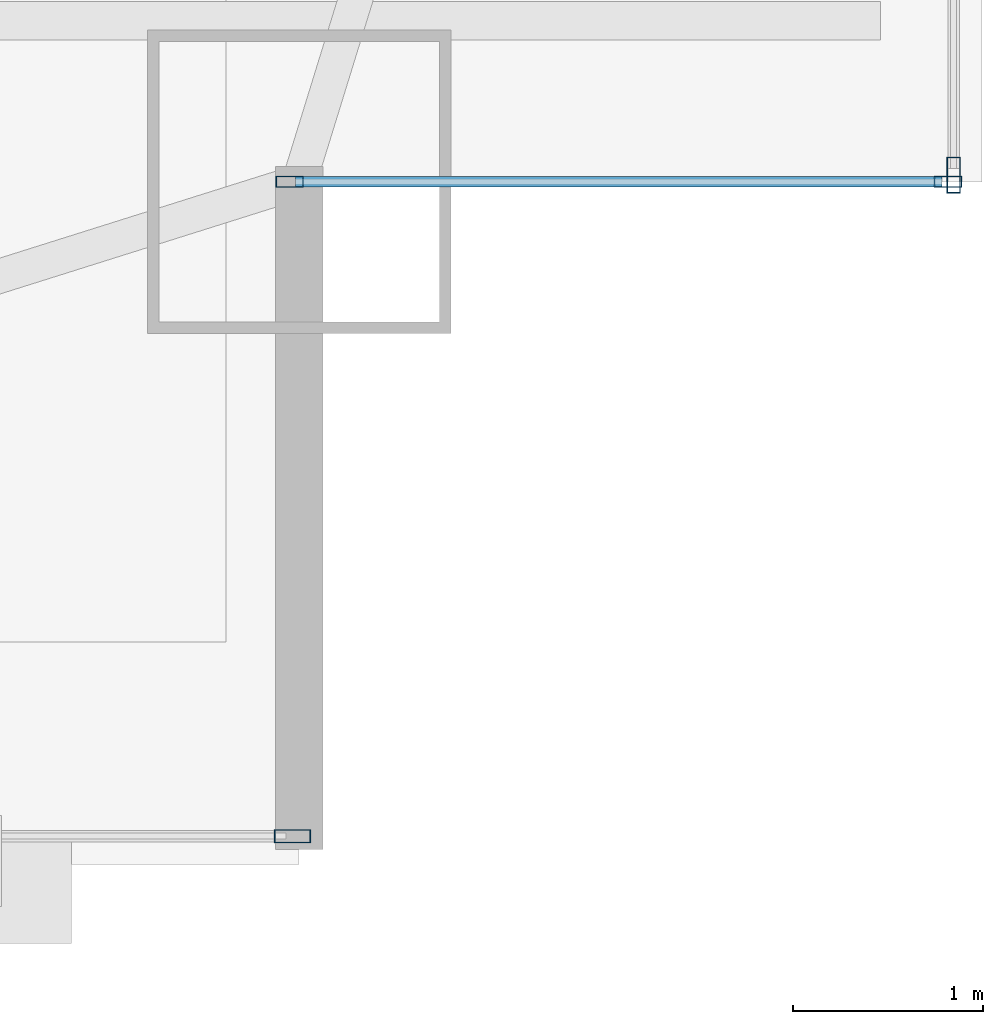
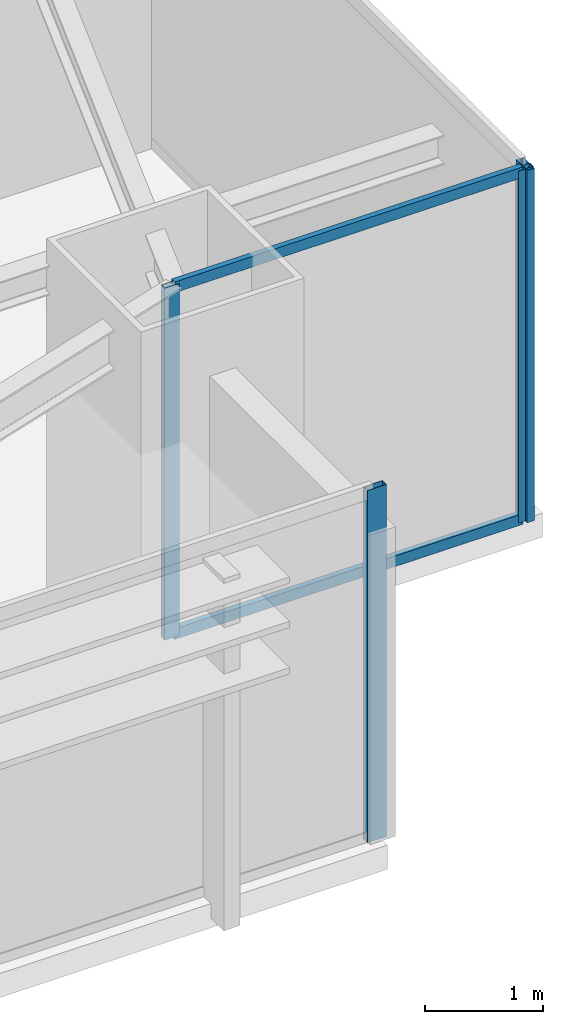
# One storey, part 14 of 29: 6 members, 3 elements without a shape of their own.
"""IFC4 building model written with IfcOpenShell, lengths in metres."""

from ifc_helpers import new_model, si_unit, direction, frame, origin, origin_2d, place, context, subcontext, project, spatial, hollow_rectangle, extrude, source, transform, mapped, material, layer, layer_set, material_profile, profile_set, type_object, type_shapes, element, aggregate, save


model = new_model("IFC4")

# Units and contexts
model_context = context("Model", 3, precision=1e-05, world=origin(), true_north=direction((0.0, 1.0)))
body_context = subcontext(model_context, "Body", "Model", "MODEL_VIEW")
ifc_project = project(units=[si_unit("LENGTHUNIT", "METRE"), si_unit("AREAUNIT", "SQUARE_METRE"), si_unit("VOLUMEUNIT", "CUBIC_METRE"), si_unit("PLANEANGLEUNIT", "RADIAN"), si_unit("MASSUNIT", "GRAM", prefix="KILO")], contexts=[model_context])

# Site, building, storey
site_placement = place(None, origin())
site = spatial("IfcSite", under=ifc_project, at=site_placement, CompositionType="ELEMENT")
building_placement = place(site_placement, origin())
building = spatial("IfcBuilding", under=site, at=building_placement, Name="Varnel Quay Broadcast Tower", CompositionType="ELEMENT")
storey_placement = place(building_placement, frame((0.0, 0.0, 74.39990234375)))
storey = spatial("IfcBuildingStorey", under=building, at=storey_placement, Name="L17", CompositionType="ELEMENT", Elevation=74.39990234375)

# Curtain wall, members
ifc_material = material(Name="Anodised Bronze Aluminium 6063-T6", Category="aluminium")
ifc_layer_1 = layer(ifc_material, 0.18994140625, Name="Anodised Bronze Aluminium 6063-T6")
ifc_layer_set_1 = layer_set([ifc_layer_1], Name="Anodised Bronze Aluminium 6063-T6")
curtain_wall_type_1 = type_object("IfcCurtainWallType", Name="CW_NotchCorner", PredefinedType="NOTDEFINED", material=ifc_layer_set_1)
curtain_wall_1_placement = place(storey_placement, origin())
curtain_wall_1 = element("IfcCurtainWall", 1, at=curtain_wall_1_placement, inside=storey, type_object=curtain_wall_type_1, Name="L17 SE Notch Curtain Wall", PredefinedType="NOTDEFINED")
ifc_material_profile_1 = material_profile(ifc_material, hollow_rectangle(XDim=0.054931640625, YDim=0.110107421875, WallThickness=0.0029296875, at=origin_2d()), Name="ALU55X110X3")
ifc_profile_set_1 = profile_set([ifc_material_profile_1], Name="Anodised Bronze Aluminium 6063-T6")
member_type_1 = type_object("IfcMemberType", Name="Tran_CWS-04", PredefinedType="USERDEFINED", material=ifc_profile_set_1)
shared_shape_1 = source(origin(), body_context, "Body", "SweptSolid", [
    extrude(hollow_rectangle(XDim=0.054931640625, YDim=0.110107421875, WallThickness=0.0029296875, at=origin_2d()), origin(), (0.0, 0.0, 1.0), 3.41015625),
])
type_shapes(member_type_1, [shared_shape_1])
member_1_placement = place(storey_placement, frame((62.3798828125, 4.800048828125, 0.027587890625), z_axis=(1.0, 0.0, 0.0), x_axis=(0.0, 1.0, 0.0)))
member_1 = element("IfcMember", 2, at=member_1_placement, type_object=member_type_1, Name="CWS-04 transom 1.1", ObjectType="TRANSOM", PredefinedType="USERDEFINED", context=body_context, shape_type="MappedRepresentation", body=[
    mapped(shared_shape_1, transform((0.0, 0.0, 0.0), x_axis=(1.0, 0.0, 0.0), y_axis=(0.0, 1.0, 0.0), z_axis=(0.0, 0.0, 1.0), scale=1.0)),
])
member_2_placement = place(storey_placement, frame((62.3798828125, 4.800048828125, 3.62255859375), z_axis=(1.0, 0.0, 0.0), x_axis=(0.0, 1.0, 0.0)))
member_2 = element("IfcMember", 3, at=member_2_placement, type_object=member_type_1, Name="CWS-04 transom 1.2", ObjectType="TRANSOM", PredefinedType="USERDEFINED", context=body_context, shape_type="MappedRepresentation", body=[
    mapped(shared_shape_1, transform((0.0, 0.0, 0.0), x_axis=(1.0, 0.0, 0.0), y_axis=(0.0, 1.0, 0.0), z_axis=(0.0, 0.0, 1.0), scale=1.0)),
])

# Curtain wall, member
ifc_layer_2 = layer(ifc_material, 0.18994140625, Name="Anodised Bronze Aluminium 6063-T6")
ifc_layer_set_2 = layer_set([ifc_layer_2], Name="Anodised Bronze Aluminium 6063-T6")
curtain_wall_type_2 = type_object("IfcCurtainWallType", Name="CW_LowerTower", PredefinedType="NOTDEFINED", material=ifc_layer_set_2)
curtain_wall_2_placement = place(storey_placement, origin())
curtain_wall_2 = element("IfcCurtainWall", 4, at=curtain_wall_2_placement, inside=storey, type_object=curtain_wall_type_2, Name="L17 South Unitised Curtain Wall 3", PredefinedType="NOTDEFINED")
ifc_material_profile_2 = material_profile(ifc_material, hollow_rectangle(XDim=0.070068359375, YDim=0.18994140625, WallThickness=0.00390625, at=origin_2d()), Name="ALU70X190X4")
ifc_profile_set_2 = profile_set([ifc_material_profile_2], Name="Anodised Bronze Aluminium 6063-T6")
member_type_2 = type_object("IfcMemberType", Name="Mull_CWS-02", PredefinedType="MULLION", material=ifc_profile_set_2)
shared_shape_2 = source(origin(), body_context, "Body", "SweptSolid", [
    extrude(hollow_rectangle(XDim=0.070068359375, YDim=0.18994140625, WallThickness=0.00390625, at=origin_2d()), origin(), (0.0, 0.0, 1.0), 3.650146484375),
])
type_shapes(member_type_2, [shared_shape_2])
member_3_placement = place(storey_placement, frame((62.364990234375, 1.35009765625, 0.0), z_axis=(0.0, 0.0, 1.0), x_axis=(0.0, 1.0, 0.0)))
member_3 = element("IfcMember", 5, at=member_3_placement, type_object=member_type_2, Name="CWS-02 mullion 2", PredefinedType="MULLION", context=body_context, shape_type="MappedRepresentation", body=[
    mapped(shared_shape_2, transform((0.0, 0.0, 0.0), x_axis=(1.0, 0.0, 0.0), y_axis=(0.0, 1.0, 0.0), z_axis=(0.0, 0.0, 1.0), scale=1.0)),
])
aggregate(curtain_wall_2, [member_3])

curtain_wall_3_placement = place(storey_placement, origin())
curtain_wall_3 = element("IfcCurtainWall", 6, at=curtain_wall_3_placement, inside=storey, type_object=curtain_wall_type_2, Name="L17 East Unitised Curtain Wall", PredefinedType="NOTDEFINED")
member_4_placement = place(storey_placement, frame((65.85009765625, 4.8349609375, 0.0), z_axis=(0.0, 0.0, 1.0), x_axis=(-1.0, 0.0, 0.0)))
member_4 = element("IfcMember", 7, at=member_4_placement, type_object=member_type_2, Name="CWS-02 mullion 1", PredefinedType="MULLION", context=body_context, shape_type="MappedRepresentation", body=[
    mapped(shared_shape_2, transform((0.0, 0.0, 0.0), x_axis=(1.0, 0.0, 0.0), y_axis=(0.0, 1.0, 0.0), z_axis=(0.0, 0.0, 1.0), scale=1.0)),
])
aggregate(curtain_wall_3, [member_4])

# Member
ifc_material_profile_3 = material_profile(ifc_material, hollow_rectangle(XDim=0.06005859375, YDim=0.14501953125, WallThickness=0.00341796875, at=origin_2d()), Name="ALU60X145X3.5")
ifc_profile_set_3 = profile_set([ifc_material_profile_3], Name="Anodised Bronze Aluminium 6063-T6")
member_type_3 = type_object("IfcMemberType", Name="Mull_CWS-04", PredefinedType="MULLION", material=ifc_profile_set_3)
shared_shape_3 = source(origin(), body_context, "Body", "SweptSolid", [
    extrude(hollow_rectangle(XDim=0.06005859375, YDim=0.14501953125, WallThickness=0.00341796875, at=origin_2d()), origin(), (0.0, 0.0, 1.0), 3.650146484375),
])
type_shapes(member_type_3, [shared_shape_3])
member_5_placement = place(storey_placement, frame((62.35009765625, 4.800048828125, 0.0), z_axis=(0.0, 0.0, 1.0), x_axis=(0.0, 1.0, 0.0)))
member_5 = element("IfcMember", 8, at=member_5_placement, type_object=member_type_3, Name="CWS-04 mullion 1", PredefinedType="MULLION", context=body_context, shape_type="MappedRepresentation", body=[
    mapped(shared_shape_3, transform((0.0, 0.0, 0.0), x_axis=(1.0, 0.0, 0.0), y_axis=(0.0, 1.0, 0.0), z_axis=(0.0, 0.0, 1.0), scale=1.0)),
])

member_6_placement = place(storey_placement, frame((65.820068359375, 4.800048828125, 0.0), z_axis=(0.0, 0.0, 1.0), x_axis=(0.0, 1.0, 0.0)))
member_6 = element("IfcMember", 9, at=member_6_placement, type_object=member_type_3, Name="CWS-04 mullion 2", PredefinedType="MULLION", context=body_context, shape_type="MappedRepresentation", body=[
    mapped(shared_shape_3, transform((0.0, 0.0, 0.0), x_axis=(1.0, 0.0, 0.0), y_axis=(0.0, 1.0, 0.0), z_axis=(0.0, 0.0, 1.0), scale=1.0)),
])

aggregate(curtain_wall_1, [member_5, member_6, member_1, member_2])

save(model, "model.ifc")
